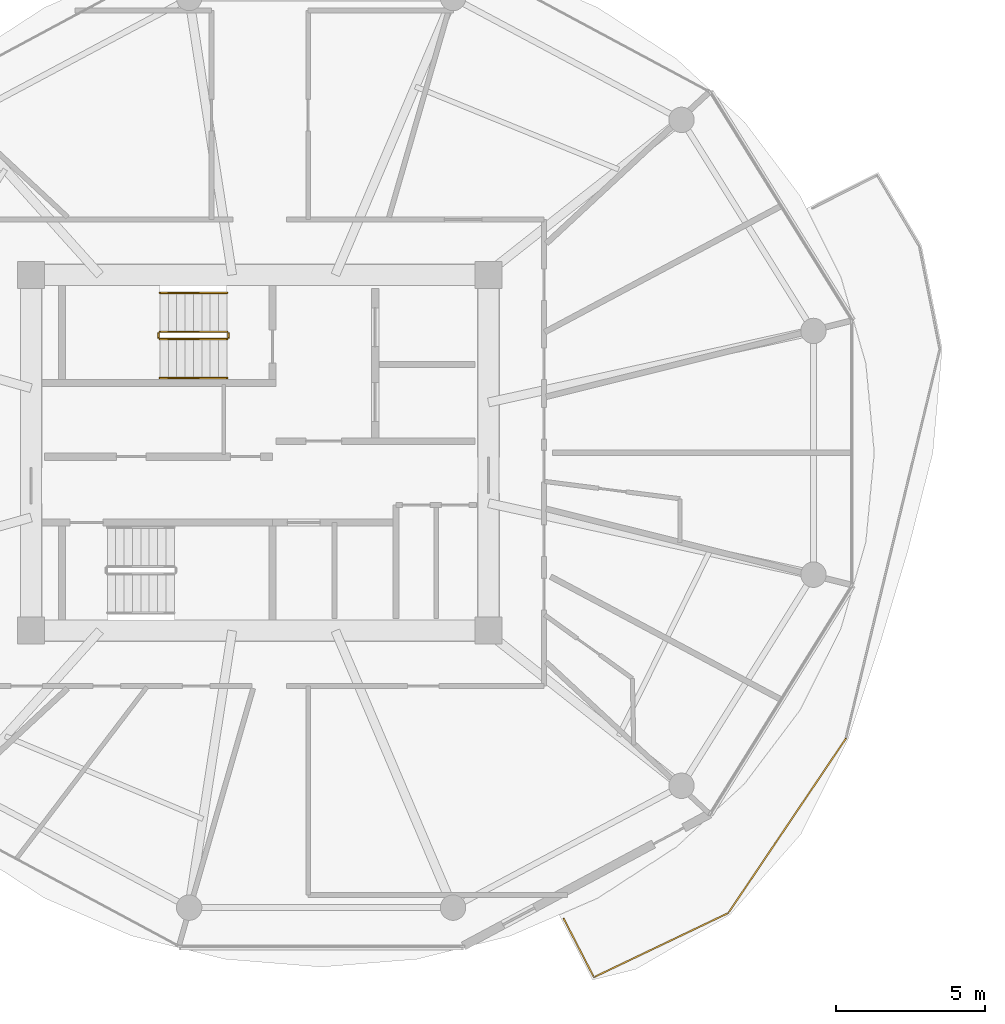
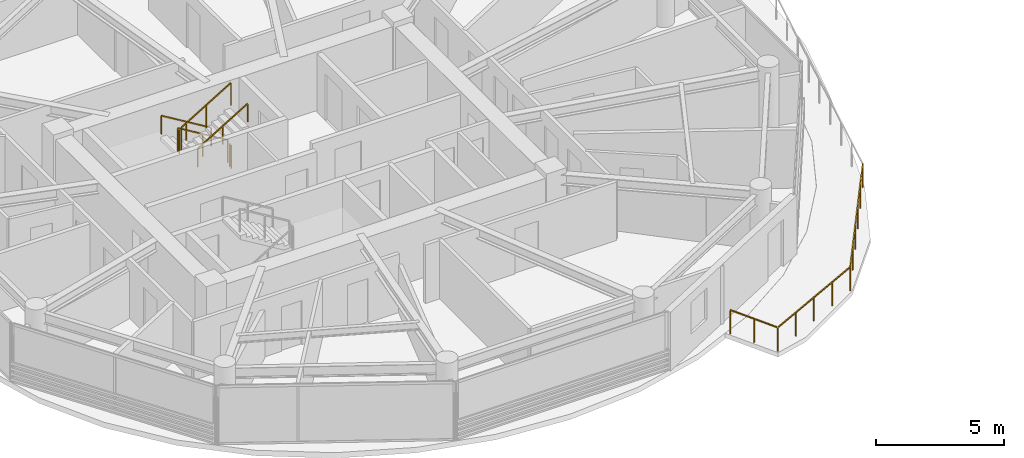
# One storey, part 20 of 22: 7 railings.
"""IFC4 building model written with IfcOpenShell, lengths in metres."""

from ifc_helpers import new_model, si_unit, direction, frame, origin, origin_2d, place, context, subcontext, project, spatial, rectangle, extrude, material, type_object, element, save


model = new_model("IFC4")

# Units and contexts
model_context = context("Model", 3, precision=1e-05, world=origin(), true_north=direction((0.0, 1.0)))
body_context = subcontext(model_context, "Body", "Model", "MODEL_VIEW")
ifc_project = project(units=[si_unit("LENGTHUNIT", "METRE"), si_unit("AREAUNIT", "SQUARE_METRE"), si_unit("VOLUMEUNIT", "CUBIC_METRE"), si_unit("PLANEANGLEUNIT", "RADIAN"), si_unit("MASSUNIT", "GRAM", prefix="KILO")], contexts=[model_context])

# Site, building, storey
site_placement = place(None, origin())
site = spatial("IfcSite", under=ifc_project, at=site_placement, CompositionType="ELEMENT")
building_placement = place(site_placement, origin())
building = spatial("IfcBuilding", under=site, at=building_placement, Name="Norrkilde Senior Care Towers", CompositionType="ELEMENT")
storey_placement = place(building_placement, frame((0.0, 0.0, 123.699951171875)))
storey = spatial("IfcBuildingStorey", under=building, at=storey_placement, Name="L38", CompositionType="ELEMENT", Elevation=123.699951171875)

# Railings
ifc_material_1 = material(Name="Anodised Aluminium", Category="aluminium")
railing_type_1 = type_object("IfcRailingType", Name="Balcony Swirl Ribbon Guardrail 1150", PredefinedType="GUARDRAIL", material=ifc_material_1)
railing_1_placement = place(storey_placement, frame((-8.40087890625, -9.56396484375, 0.0)))
element("IfcRailing", 1, at=railing_1_placement, inside=storey, type_object=railing_type_1, Name="L38 Perimeter Safety Guard 03", PredefinedType="GUARDRAIL", context=body_context, shape_type="SweptSolid", body=[
    extrude(rectangle(XDim=0.048095703125, YDim=0.048095703125, at=origin_2d()), frame((0.0, 0.0, 1.1259765625), z_axis=(-0.558940154039, -0.829207998154, 0.0), x_axis=(0.829207998154, -0.558940154039, 0.0)), (0.0, 0.0, 1.0), 6.98974609375),
    extrude(rectangle(XDim=0.048095703125, YDim=0.048095703125, at=origin_2d()), frame((-3.966552734375, -5.847412109375, 1.1259765625), z_axis=(-0.902348930562, -0.431006273172, 0.0), x_axis=(0.431006273172, -0.902348930562, 0.0)), (0.0, 0.0, 1.0), 4.899658203125),
    extrude(rectangle(XDim=0.048095703125, YDim=0.048095703125, at=origin_2d()), frame((-8.443359375, -7.9404296875, 1.1259765625), z_axis=(-0.457914105809, 0.88899644077, 0.0), x_axis=(-0.88899644077, -0.457914105809, 0.0)), (0.0, 0.0, 1.0), 2.1611328125),
    extrude(rectangle(XDim=0.0419921875, YDim=0.0419921875, at=origin_2d()), origin(), (0.0, 0.0, 1.0), 1.099853515625),
    extrude(rectangle(XDim=0.0419921875, YDim=0.0419921875, at=origin_2d()), frame((-0.785888671875, -1.166015625, 0.0)), (0.0, 0.0, 1.0), 1.099853515625),
    extrude(rectangle(XDim=0.0419921875, YDim=0.0419921875, at=origin_2d()), frame((-1.57177734375, -2.33203125, 0.0)), (0.0, 0.0, 1.0), 1.099853515625),
    extrude(rectangle(XDim=0.0419921875, YDim=0.0419921875, at=origin_2d()), frame((-2.35791015625, -3.497802734375, 0.0)), (0.0, 0.0, 1.0), 1.099853515625),
    extrude(rectangle(XDim=0.0419921875, YDim=0.0419921875, at=origin_2d()), frame((-3.143798828125, -4.663818359375, 0.0)), (0.0, 0.0, 1.0), 1.099853515625),
    extrude(rectangle(XDim=0.0419921875, YDim=0.0419921875, at=origin_2d()), frame((-3.9296875, -5.829833984375, 0.0)), (0.0, 0.0, 1.0), 1.099853515625),
    extrude(rectangle(XDim=0.0419921875, YDim=0.0419921875, at=origin_2d()), frame((-5.053466796875, -6.36669921875, 0.0)), (0.0, 0.0, 1.0), 1.099853515625),
    extrude(rectangle(XDim=0.0419921875, YDim=0.0419921875, at=origin_2d()), frame((-6.17724609375, -6.9033203125, 0.0)), (0.0, 0.0, 1.0), 1.099853515625),
    extrude(rectangle(XDim=0.0419921875, YDim=0.0419921875, at=origin_2d()), frame((-7.30078125, -7.43994140625, 0.0)), (0.0, 0.0, 1.0), 1.099853515625),
    extrude(rectangle(XDim=0.0419921875, YDim=0.0419921875, at=origin_2d()), frame((-8.424560546875, -7.976806640625, 0.0)), (0.0, 0.0, 1.0), 1.099853515625),
    extrude(rectangle(XDim=0.0419921875, YDim=0.0419921875, at=origin_2d()), frame((-8.9287109375, -6.998046875, 0.0)), (0.0, 0.0, 1.0), 1.099853515625),
    extrude(rectangle(XDim=0.0419921875, YDim=0.0419921875, at=origin_2d()), frame((-9.432861328125, -6.019287109375, 0.0)), (0.0, 0.0, 1.0), 1.099853515625),
])
ifc_material_2 = material(Name="Stainless Steel", Category="steel")
railing_type_2 = type_object("IfcRailingType", Name="Stair and Terrace Guardrail 1100", PredefinedType="GUARDRAIL", material=ifc_material_2)
railing_2_placement = place(storey_placement, frame((-29.10009765625, 4.050048828125, 0.16943359375)))
element("IfcRailing", 2, at=railing_2_placement, inside=storey, type_object=railing_type_2, Name="L38 ST-W1 stair guard 1", PredefinedType="GUARDRAIL", context=body_context, shape_type="SweptSolid", body=[
    extrude(rectangle(XDim=0.048095703125, YDim=0.048095703125, at=origin_2d()), frame((0.0, 0.0, 1.076171875), z_axis=(-0.855512035549, 0.0, 0.517782924622), x_axis=(0.0, -1.0, 0.0)), (0.0, 0.0, 1.0), 2.618408203125),
    extrude(rectangle(XDim=0.0419921875, YDim=0.0419921875, at=origin_2d()), origin(), (0.0, 0.0, 1.0), 1.050048828125),
    extrude(rectangle(XDim=0.0419921875, YDim=0.0419921875, at=origin_2d()), frame((-1.1201171875, 0.0, 0.677734375)), (0.0, 0.0, 1.0), 1.050048828125),
    extrude(rectangle(XDim=0.0419921875, YDim=0.0419921875, at=origin_2d()), frame((-2.239990234375, 0.0, 1.355712890625)), (0.0, 0.0, 1.0), 1.050048828125),
])
railing_3_placement = place(storey_placement, frame((-31.389892578125, 4.0, 1.525146484375)))
element("IfcRailing", 3, at=railing_3_placement, inside=storey, type_object=railing_type_2, Name="L38 ST-W1 stair guard 2", PredefinedType="GUARDRAIL", context=body_context, shape_type="SweptSolid", body=[
    extrude(rectangle(XDim=0.048095703125, YDim=0.048095703125, at=origin_2d()), frame((0.0, 0.0, 1.076171875), z_axis=(0.0, -1.0, 0.0), x_axis=(1.0, 0.0, 0.0)), (0.0, 0.0, 1.0), 0.14990234375),
    extrude(rectangle(XDim=0.0419921875, YDim=0.0419921875, at=origin_2d()), origin(), (0.0, 0.0, 1.0), 1.050048828125),
    extrude(rectangle(XDim=0.0419921875, YDim=0.0419921875, at=origin_2d()), frame((0.0, -0.14990234375, 0.0)), (0.0, 0.0, 1.0), 1.050048828125),
])
railing_4_placement = place(storey_placement, frame((-31.340087890625, 3.800048828125, 1.694580078125)))
element("IfcRailing", 4, at=railing_4_placement, inside=storey, type_object=railing_type_2, Name="L38 ST-W1 stair guard 3", PredefinedType="GUARDRAIL", context=body_context, shape_type="SweptSolid", body=[
    extrude(rectangle(XDim=0.048095703125, YDim=0.048095703125, at=origin_2d()), frame((0.0, 0.0, 1.076171875), z_axis=(0.855553338991, 0.0, 0.51771467445), x_axis=(0.0, 1.0, 0.0)), (0.0, 0.0, 1.0), 2.6181640625),
    extrude(rectangle(XDim=0.0419921875, YDim=0.0419921875, at=origin_2d()), origin(), (0.0, 0.0, 1.0), 1.050048828125),
    extrude(rectangle(XDim=0.0419921875, YDim=0.0419921875, at=origin_2d()), frame((1.1201171875, 0.0, 0.677734375)), (0.0, 0.0, 1.0), 1.050048828125),
    extrude(rectangle(XDim=0.0419921875, YDim=0.0419921875, at=origin_2d()), frame((2.239990234375, 0.0, 1.35546875)), (0.0, 0.0, 1.0), 1.050048828125),
])
railing_5_placement = place(storey_placement, frame((-29.050048828125, 4.0, 0.0)))
element("IfcRailing", 5, at=railing_5_placement, inside=storey, type_object=railing_type_2, Name="L38 ST-W1 stair guard 4", PredefinedType="GUARDRAIL", context=body_context, shape_type="SweptSolid", body=[
    extrude(rectangle(XDim=0.048095703125, YDim=0.048095703125, at=origin_2d()), frame((0.0, 0.0, 1.076171875), z_axis=(0.0, -1.0, 0.0), x_axis=(1.0, 0.0, 0.0)), (0.0, 0.0, 1.0), 0.14990234375),
    extrude(rectangle(XDim=0.0419921875, YDim=0.0419921875, at=origin_2d()), origin(), (0.0, 0.0, 1.0), 1.050048828125),
    extrude(rectangle(XDim=0.0419921875, YDim=0.0419921875, at=origin_2d()), frame((0.0, -0.14990234375, 0.0)), (0.0, 0.0, 1.0), 1.050048828125),
])
ifc_material_3 = material(Name="Nordic Ash Timber", Category="wood")
railing_type_3 = type_object("IfcRailingType", Name="Wall and Stair Handrail 900", PredefinedType="HANDRAIL", material=ifc_material_3)
railing_6_placement = place(storey_placement, frame((-29.10009765625, 5.35009765625, 0.16943359375)))
element("IfcRailing", 6, at=railing_6_placement, inside=storey, type_object=railing_type_3, Name="L38 ST-W1 stair handrail 1", PredefinedType="HANDRAIL", context=body_context, shape_type="SweptSolid", body=[
    extrude(rectangle(XDim=0.048095703125, YDim=0.048095703125, at=origin_2d()), frame((0.0, 0.0, 0.8759765625), z_axis=(-0.855512035549, 0.0, 0.517782924622), x_axis=(0.0, -1.0, 0.0)), (0.0, 0.0, 1.0), 2.618408203125),
    extrude(rectangle(XDim=0.0419921875, YDim=0.0419921875, at=origin_2d()), origin(), (0.0, 0.0, 1.0), 0.849853515625),
    extrude(rectangle(XDim=0.0419921875, YDim=0.0419921875, at=origin_2d()), frame((-1.1201171875, 0.0, 0.677734375)), (0.0, 0.0, 1.0), 0.849853515625),
    extrude(rectangle(XDim=0.0419921875, YDim=0.0419921875, at=origin_2d()), frame((-2.239990234375, 0.0, 1.355712890625)), (0.0, 0.0, 1.0), 0.849853515625),
])
railing_7_placement = place(storey_placement, frame((-31.340087890625, 2.5, 1.694580078125)))
element("IfcRailing", 7, at=railing_7_placement, inside=storey, type_object=railing_type_3, Name="L38 ST-W1 stair handrail 2", PredefinedType="HANDRAIL", context=body_context, shape_type="SweptSolid", body=[
    extrude(rectangle(XDim=0.048095703125, YDim=0.048095703125, at=origin_2d()), frame((0.0, 0.0, 0.8759765625), z_axis=(0.855553338991, 0.0, 0.51771467445), x_axis=(0.0, 1.0, 0.0)), (0.0, 0.0, 1.0), 2.6181640625),
    extrude(rectangle(XDim=0.0419921875, YDim=0.0419921875, at=origin_2d()), origin(), (0.0, 0.0, 1.0), 0.849853515625),
    extrude(rectangle(XDim=0.0419921875, YDim=0.0419921875, at=origin_2d()), frame((1.1201171875, 0.0, 0.677734375)), (0.0, 0.0, 1.0), 0.849853515625),
    extrude(rectangle(XDim=0.0419921875, YDim=0.0419921875, at=origin_2d()), frame((2.239990234375, 0.0, 1.35546875)), (0.0, 0.0, 1.0), 0.849853515625),
])

save(model, "model.ifc")
